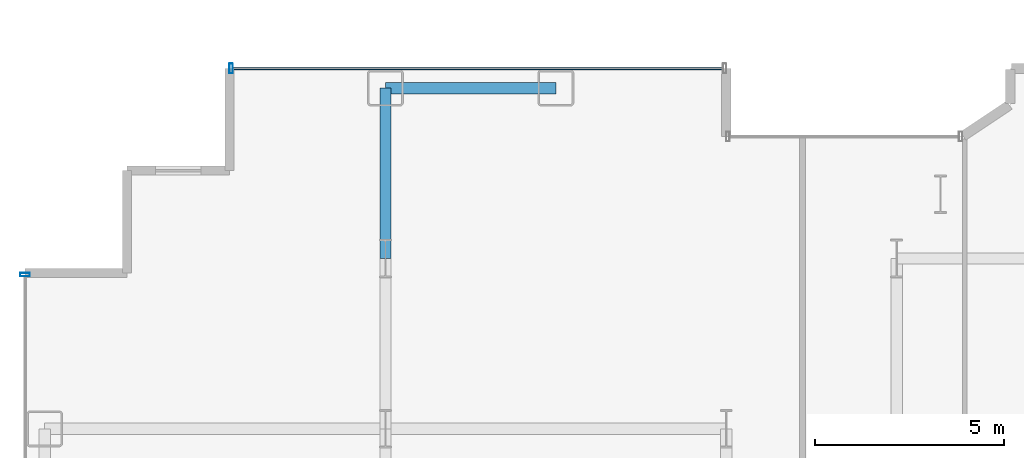
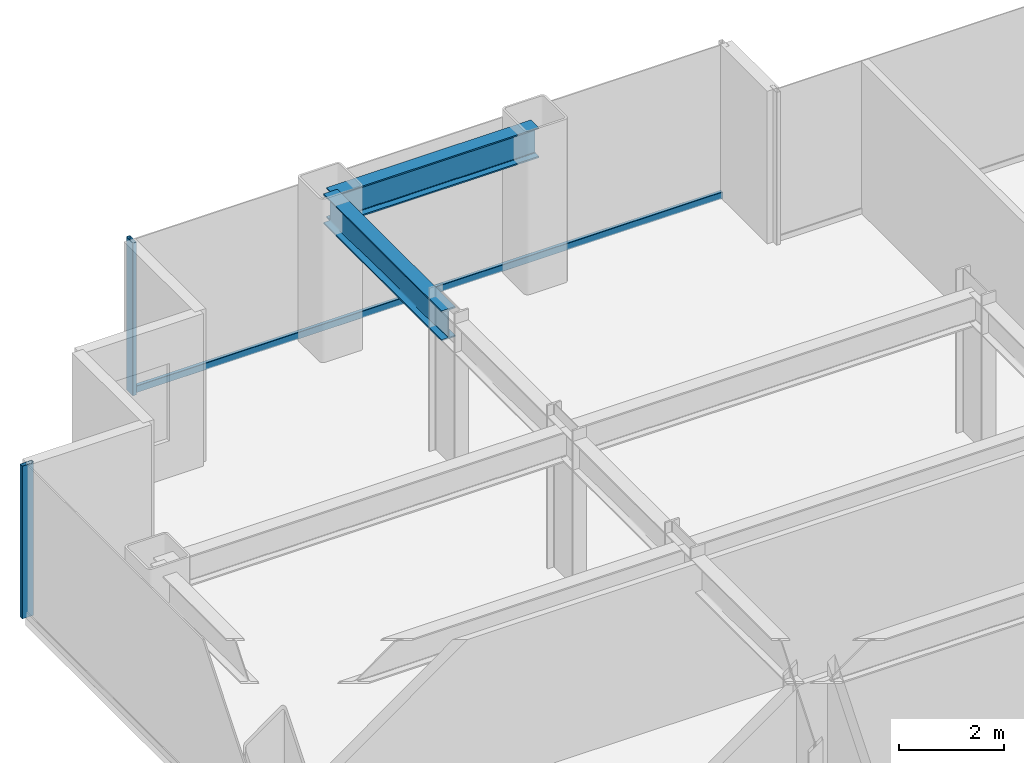
# One storey, part 9 of 27: 3 members, 2 beams, 2 elements without a shape of their own.
"""IFC4 building model written with IfcOpenShell, lengths in metres."""

from ifc_helpers import new_model, si_unit, direction, frame, origin, origin_2d, place, context, subcontext, project, spatial, hollow_rectangle, i_section, extrude, source, transform, mapped, material, layer, layer_set, material_profile, profile_set, type_object, element, aggregate, save


model = new_model("IFC4")

# Units and contexts
model_context = context("Model", 3, precision=1e-05, world=origin(), true_north=direction((0.0, 1.0)))
body_context = subcontext(model_context, "Body", "Model", "MODEL_VIEW")
ifc_project = project(units=[si_unit("LENGTHUNIT", "METRE"), si_unit("AREAUNIT", "SQUARE_METRE"), si_unit("VOLUMEUNIT", "CUBIC_METRE"), si_unit("PLANEANGLEUNIT", "RADIAN"), si_unit("MASSUNIT", "GRAM", prefix="KILO")], contexts=[model_context])

# Site, building, storey
site_placement = place(None, origin())
site = spatial("IfcSite", under=ifc_project, at=site_placement, CompositionType="ELEMENT")
building_placement = place(site_placement, origin())
building = spatial("IfcBuilding", under=site, at=building_placement, Name="Nefas-Gora Pilgrimage Tower", CompositionType="ELEMENT")
storey_placement = place(building_placement, frame((0.0, 0.0, 48.199951171875)))
storey = spatial("IfcBuildingStorey", under=building, at=storey_placement, Name="L10", CompositionType="ELEMENT", Elevation=48.199951171875)

# Beams
ifc_material_1 = material(Name="Steel S355", Category="steel")
ifc_material_profile_1 = material_profile(ifc_material_1, i_section(OverallWidth=0.300048828125, OverallDepth=0.699951171875, WebThickness=0.01708984375, FlangeThickness=0.031982421875, FilletRadius=0.027099609375, at=origin_2d()), Name="HEB 700")
ifc_profile_set_1 = profile_set([ifc_material_profile_1], Name="Steel S355")
beam_type_1 = type_object("IfcBeamType", Name="BM-SPN-HEB600", PredefinedType="SPANDREL", material=ifc_profile_set_1)
shared_shape_1 = source(origin(), body_context, "Body", "SweptSolid", [
    extrude(i_section(OverallWidth=0.300048828125, OverallDepth=0.699951171875, WebThickness=0.01708984375, FlangeThickness=0.031982421875, FilletRadius=0.027099609375, at=origin_2d()), origin(), (0.0, 0.0, 1.0), 4.5),
])
beam_1_placement = place(storey_placement, frame((-24.75, 22.5, 3.199951171875), z_axis=(1.0, 0.0, 0.0), x_axis=(0.0, 1.0, 0.0)))
element("IfcBeam", 1, at=beam_1_placement, inside=storey, type_object=beam_type_1, Name="L10 SP-01 beam", PredefinedType="SPANDREL", context=body_context, shape_type="MappedRepresentation", body=[
    mapped(shared_shape_1, transform((0.0, 0.0, 0.0), x_axis=(1.0, 0.0, 0.0), y_axis=(0.0, 1.0, 0.0), z_axis=(0.0, 0.0, 1.0), scale=1.0)),
])
ifc_material_profile_2 = material_profile(ifc_material_1, i_section(OverallWidth=0.300048828125, OverallDepth=0.699951171875, WebThickness=0.01708984375, FlangeThickness=0.031982421875, FilletRadius=0.027099609375, at=origin_2d()), Name="HEB 700")
ifc_profile_set_2 = profile_set([ifc_material_profile_2], Name="Steel S355")
beam_type_2 = type_object("IfcBeamType", Name="BM-GIR-HEB700", PredefinedType="BEAM", material=ifc_profile_set_2)
shared_shape_2 = source(origin(), body_context, "Body", "SweptSolid", [
    extrude(i_section(OverallWidth=0.300048828125, OverallDepth=0.699951171875, WebThickness=0.01708984375, FlangeThickness=0.031982421875, FilletRadius=0.027099609375, at=origin_2d()), origin(), (0.0, 0.0, 1.0), 4.5),
])
beam_2_placement = place(storey_placement, frame((-24.75, 18.0, 3.199951171875), z_axis=(0.0, 1.0, 0.0), x_axis=(-1.0, 0.0, 0.0)))
element("IfcBeam", 2, at=beam_2_placement, inside=storey, type_object=beam_type_2, Name="L10 G-02 beam", PredefinedType="BEAM", context=body_context, shape_type="MappedRepresentation", body=[
    mapped(shared_shape_2, transform((0.0, 0.0, 0.0), x_axis=(1.0, 0.0, 0.0), y_axis=(0.0, 1.0, 0.0), z_axis=(0.0, 0.0, 1.0), scale=1.0)),
])

# Curtain wall, member
ifc_material_2 = material(Name="Dark ceramic-fritted solar-control aluminium-glass curtain wall", Category="aluminium")
ifc_layer = layer(ifc_material_2, 0.219970703125)
ifc_layer_set = layer_set([ifc_layer], Name="Dark ceramic-fritted solar-control aluminium-glass curtain wall")
curtain_wall_type = type_object("IfcCurtainWallType", Name="CW-SYS-2", PredefinedType="NOTDEFINED", material=ifc_layer_set)
curtain_wall_1_placement = place(storey_placement, origin())
curtain_wall_1 = element("IfcCurtainWall", 3, at=curtain_wall_1_placement, inside=storey, type_object=curtain_wall_type, Name="L10 Unitised Curtain Wall CW2", PredefinedType="NOTDEFINED")
ifc_material_3 = material(Name="Anodised architectural aluminium", Category="aluminium")
ifc_material_profile_3 = material_profile(ifc_material_3, hollow_rectangle(XDim=0.090087890625, YDim=0.260009765625, WallThickness=0.006103515625, InnerFilletRadius=0.006103515625, OuterFilletRadius=0.011962890625, at=origin_2d()), Name="ALU MULLION 90x260")
ifc_profile_set_3 = profile_set([ifc_material_profile_3], Name="Anodised architectural aluminium")
member_type_1 = type_object("IfcMemberType", Name="CWM-MUL-2", PredefinedType="MULLION", material=ifc_profile_set_3)
shared_shape_3 = source(origin(), body_context, "Body", "SweptSolid", [
    extrude(hollow_rectangle(XDim=0.090087890625, YDim=0.260009765625, WallThickness=0.006103515625, InnerFilletRadius=0.006103515625, OuterFilletRadius=0.011962890625, at=origin_2d()), origin(), (0.0, 0.0, 1.0), 3.550048828125),
])
member_1_placement = place(storey_placement, frame((-28.824951171875, 23.02001953125, 0.0), z_axis=(0.0, 0.0, 1.0), x_axis=(-1.0, 0.0, 0.0)))
member_1 = element("IfcMember", 4, at=member_1_placement, type_object=member_type_1, Name="CW2 Mullion 2", PredefinedType="MULLION", context=body_context, shape_type="MappedRepresentation", body=[
    mapped(shared_shape_3, transform((0.0, 0.0, 0.0), x_axis=(1.0, 0.0, 0.0), y_axis=(0.0, 1.0, 0.0), z_axis=(0.0, 0.0, 1.0), scale=1.0)),
])

curtain_wall_2_placement = place(storey_placement, origin())
curtain_wall_2 = element("IfcCurtainWall", 5, at=curtain_wall_2_placement, inside=storey, type_object=curtain_wall_type, Name="L10 Unitised Curtain Wall CW2", PredefinedType="NOTDEFINED")
member_2_placement = place(storey_placement, frame((-34.27001953125, 17.574951171875, 0.0), z_axis=(0.0, 0.0, 1.0), x_axis=(0.0, -1.0, 0.0)))
member_2 = element("IfcMember", 6, at=member_2_placement, type_object=member_type_1, Name="CW2 Mullion 1", PredefinedType="MULLION", context=body_context, shape_type="MappedRepresentation", body=[
    mapped(shared_shape_3, transform((0.0, 0.0, 0.0), x_axis=(1.0, 0.0, 0.0), y_axis=(0.0, 1.0, 0.0), z_axis=(0.0, 0.0, 1.0), scale=1.0)),
])
aggregate(curtain_wall_2, [member_2])

# Member
ifc_material_profile_4 = material_profile(ifc_material_3, hollow_rectangle(XDim=0.080078125, YDim=0.159912109375, WallThickness=0.00439453125, InnerFilletRadius=0.00439453125, OuterFilletRadius=0.009033203125, at=origin_2d()), Name="ALU TRANSOM 80x160")
ifc_profile_set_4 = profile_set([ifc_material_profile_4], Name="Anodised architectural aluminium")
member_type_2 = type_object("IfcMemberType", Name="CWM-TRN-2", PredefinedType="USERDEFINED", material=ifc_profile_set_4)
shared_shape_4 = source(origin(), body_context, "Body", "SweptSolid", [
    extrude(hollow_rectangle(XDim=0.080078125, YDim=0.159912109375, WallThickness=0.00439453125, InnerFilletRadius=0.00439453125, OuterFilletRadius=0.009033203125, at=origin_2d()), origin(), (0.0, 0.0, 1.0), 12.93994140625),
])
member_3_placement = place(storey_placement, frame((-15.840087890625, 23.02001953125, 0.050048828125), z_axis=(-1.0, 0.0, 0.0), x_axis=(0.0, -1.0, 0.0)))
member_3 = element("IfcMember", 7, at=member_3_placement, type_object=member_type_2, Name="CW2 Spandrel Transom", ObjectType="TRANSOM", PredefinedType="USERDEFINED", context=body_context, shape_type="MappedRepresentation", body=[
    mapped(shared_shape_4, transform((0.0, 0.0, 0.0), x_axis=(1.0, 0.0, 0.0), y_axis=(0.0, 1.0, 0.0), z_axis=(0.0, 0.0, 1.0), scale=1.0)),
])

aggregate(curtain_wall_1, [member_1, member_3])

save(model, "model.ifc")
